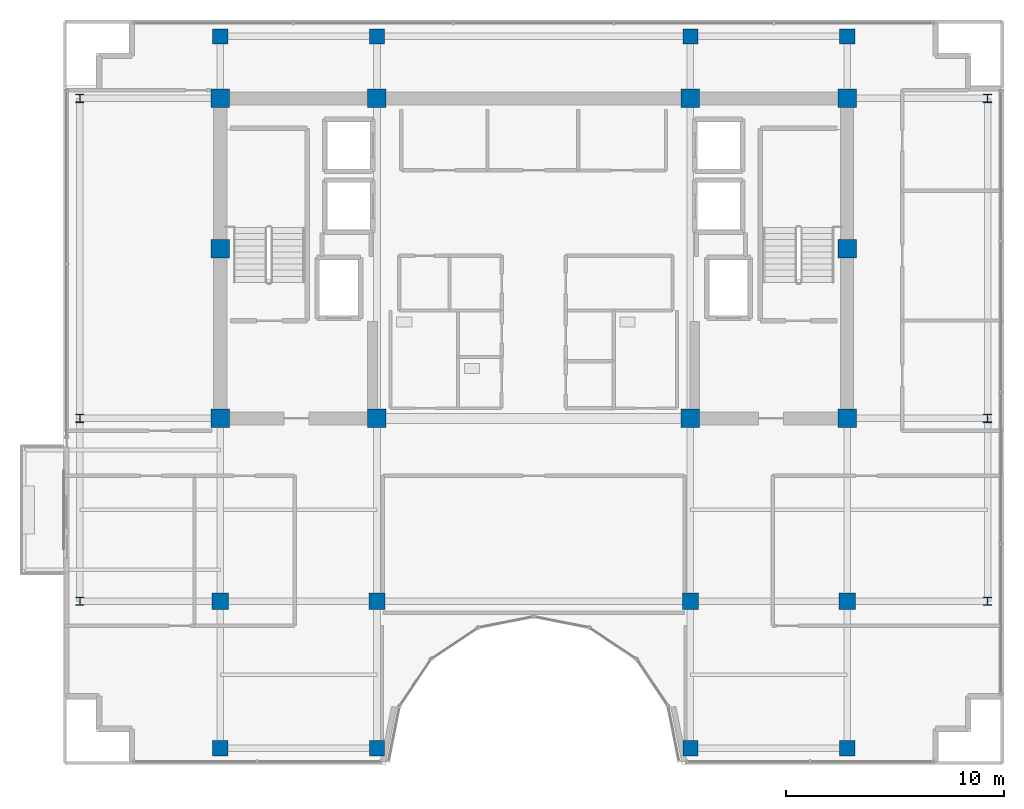
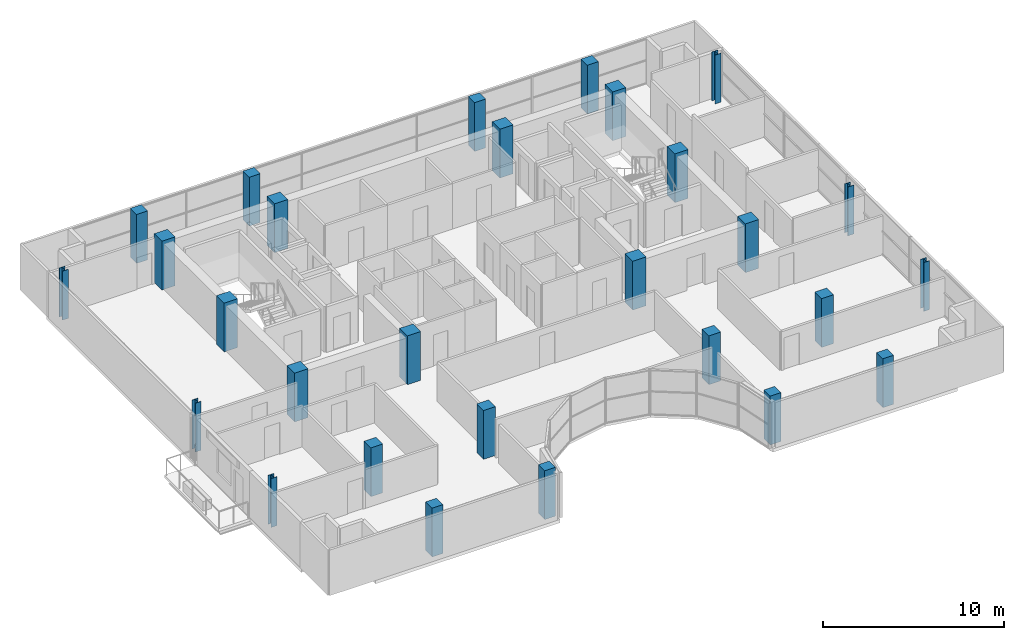
# One storey, part 1 of 28: 28 columns.
"""IFC4 building model written with IfcOpenShell, lengths in metres."""

from ifc_helpers import new_model, si_unit, direction, frame, origin, origin_2d, place, context, subcontext, project, spatial, rectangle, i_section, extrude, material, material_profile, profile_set, type_object, element, save


model = new_model("IFC4")

# Units and contexts
model_context = context("Model", 3, precision=1e-05, world=origin(), true_north=direction((0.0, 1.0)))
body_context = subcontext(model_context, "Body", "Model", "MODEL_VIEW")
ifc_project = project(units=[si_unit("LENGTHUNIT", "METRE"), si_unit("AREAUNIT", "SQUARE_METRE"), si_unit("VOLUMEUNIT", "CUBIC_METRE"), si_unit("PLANEANGLEUNIT", "RADIAN"), si_unit("MASSUNIT", "GRAM", prefix="KILO")], contexts=[model_context])

# Site, building, storey
site_placement = place(None, origin())
site = spatial("IfcSite", under=ifc_project, at=site_placement, CompositionType="ELEMENT")
building_placement = place(site_placement, origin())
building = spatial("IfcBuilding", under=site, at=building_placement, Name="Zarnakvel Exchange Tower", CompositionType="ELEMENT")
storey_placement = place(building_placement, frame((0.0, 0.0, 261.699951171875)))
storey = spatial("IfcBuildingStorey", under=building, at=storey_placement, Name="L74", CompositionType="ELEMENT", Elevation=261.699951171875)

# Columns
ifc_material_1 = material(Name="Concrete C50/60", Category="concrete")
ifc_material_profile_1 = material_profile(ifc_material_1, rectangle(XDim=0.85009765625, YDim=0.85009765625, at=origin_2d()))
ifc_profile_set_1 = profile_set([ifc_material_profile_1], Name="Concrete C50/60")
column_type_1 = type_object("IfcColumnType", Name="CC-03", PredefinedType="COLUMN", material=ifc_profile_set_1)
for number, where, z_axis, x_axis, name in (
    (1, (-14.39990234375, -1.199951171875, 0.0), (0.0, 0.0, 1.0), (1.0, 0.0, 0.0), "L74 Column C-4D (CC-03)"),
    (2, (-7.199951171875, -1.199951171875, 0.0), (0.0, 0.0, 1.0), (1.0, 0.0, 0.0), "L74 Column C-5D (CC-03)"),
    (3, (7.199951171875, -1.199951171875, 0.0), (0.0, 0.0, 1.0), (1.0, 0.0, 0.0), "L74 Column C-8D (CC-03)"),
    (4, (14.39990234375, -1.199951171875, 0.0), (0.0, 0.0, 1.0), (1.0, 0.0, 0.0), "L74 Column C-9D (CC-03)"),
    (5, (-14.39990234375, 6.60009765625, 0.0), (0.0, 0.0, 1.0), (1.0, 0.0, 0.0), "L74 Column C-4E (CC-03)"),
    (6, (14.39990234375, 6.60009765625, 0.0), (0.0, 0.0, 1.0), (1.0, 0.0, 0.0), "L74 Column C-9E (CC-03)"),
    (7, (-14.39990234375, 13.5, 0.0), (0.0, 0.0, 1.0), (1.0, 0.0, 0.0), "L74 Column C-4F (CC-03)"),
    (8, (-7.199951171875, 13.5, 0.0), (0.0, 0.0, 1.0), (1.0, 0.0, 0.0), "L74 Column C-5F (CC-03)"),
    (9, (7.199951171875, 13.5, 0.0), (0.0, 0.0, 1.0), (1.0, 0.0, 0.0), "L74 Column C-8F (CC-03)"),
    (10, (14.39990234375, 13.5, 0.0), (0.0, 0.0, 1.0), (1.0, 0.0, 0.0), "L74 Column C-9F (CC-03)"),
):
    element("IfcColumn", number, at=place(storey_placement, frame(where, z_axis=z_axis, x_axis=x_axis)), inside=storey, type_object=column_type_1, Name=name, PredefinedType="COLUMN", context=body_context, shape_type="SweptSolid", body=[
        extrude(rectangle(XDim=0.85009765625, YDim=0.85009765625, at=origin_2d()), origin(), (0.0, 0.0, 1.0), 3.300048828125),
    ])
ifc_material_2 = material(Name="Steel S355", Category="steel")
ifc_material_profile_2 = material_profile(ifc_material_2, i_section(OverallWidth=0.374755859375, OverallDepth=0.37451171875, WebThickness=0.0166015625, FlangeThickness=0.027099609375, FilletRadius=0.01513671875, at=origin_2d()))
ifc_profile_set_2 = profile_set([ifc_material_profile_2], Name="Steel S355")
column_type_2 = type_object("IfcColumnType", Name="SC-05", PredefinedType="COLUMN", material=ifc_profile_set_2)
for number, where, z_axis, x_axis, name in (
    (11, (-20.85009765625, -9.60009765625, 0.0), (0.0, 0.0, 1.0), (1.0, 0.0, 0.0), "L74 Column TW-C (SC-05)"),
    (12, (20.85009765625, -9.60009765625, 0.0), (0.0, 0.0, 1.0), (1.0, 0.0, 0.0), "L74 Column TE-C (SC-05)"),
    (13, (-20.85009765625, -1.199951171875, 0.0), (0.0, 0.0, 1.0), (1.0, 0.0, 0.0), "L74 Column TW-D (SC-05)"),
    (14, (20.85009765625, -1.199951171875, 0.0), (0.0, 0.0, 1.0), (1.0, 0.0, 0.0), "L74 Column TE-D (SC-05)"),
    (15, (-20.85009765625, 13.5, 0.0), (0.0, 0.0, 1.0), (1.0, 0.0, 0.0), "L74 Column TW-F (SC-05)"),
    (16, (20.85009765625, 13.5, 0.0), (0.0, 0.0, 1.0), (1.0, 0.0, 0.0), "L74 Column TE-F (SC-05)"),
):
    element("IfcColumn", number, at=place(storey_placement, frame(where, z_axis=z_axis, x_axis=x_axis)), inside=storey, type_object=column_type_2, Name=name, PredefinedType="COLUMN", context=body_context, shape_type="SweptSolid", body=[
        extrude(i_section(OverallWidth=0.374755859375, OverallDepth=0.37451171875, WebThickness=0.0166015625, FlangeThickness=0.027099609375, FilletRadius=0.01513671875, at=origin_2d()), origin(), (0.0, 0.0, 1.0), 3.300048828125),
    ])
ifc_material_profile_3 = material_profile(ifc_material_1, rectangle(XDim=0.75, YDim=0.75, at=origin_2d()))
ifc_profile_set_3 = profile_set([ifc_material_profile_3], Name="Concrete C50/60")
column_type_3 = type_object("IfcColumnType", Name="TC-04", PredefinedType="COLUMN", material=ifc_profile_set_3)
for number, where, z_axis, x_axis, name in (
    (17, (-14.39990234375, -9.60009765625, 0.0), (0.0, 0.0, 1.0), (1.0, 0.0, 0.0), "L74 Column T-4C (TC-04)"),
    (18, (-7.199951171875, -9.60009765625, 0.0), (0.0, 0.0, 1.0), (1.0, 0.0, 0.0), "L74 Column T-5C (TC-04)"),
    (19, (7.199951171875, -9.60009765625, 0.0), (0.0, 0.0, 1.0), (1.0, 0.0, 0.0), "L74 Column T-8C (TC-04)"),
    (20, (14.39990234375, -9.60009765625, 0.0), (0.0, 0.0, 1.0), (1.0, 0.0, 0.0), "L74 Column T-9C (TC-04)"),
):
    element("IfcColumn", number, at=place(storey_placement, frame(where, z_axis=z_axis, x_axis=x_axis)), inside=storey, type_object=column_type_3, Name=name, PredefinedType="COLUMN", context=body_context, shape_type="SweptSolid", body=[
        extrude(rectangle(XDim=0.75, YDim=0.75, at=origin_2d()), origin(), (0.0, 0.0, 1.0), 3.300048828125),
    ])
ifc_material_profile_4 = material_profile(ifc_material_1, rectangle(XDim=0.699951171875, YDim=0.699951171875, at=origin_2d()))
ifc_profile_set_4 = profile_set([ifc_material_profile_4], Name="Concrete C50/60")
column_type_4 = type_object("IfcColumnType", Name="TC-05", PredefinedType="COLUMN", material=ifc_profile_set_4)
for number, where, z_axis, x_axis, name in (
    (21, (-14.39990234375, -16.35009765625, 0.0), (0.0, 0.0, 1.0), (1.0, 0.0, 0.0), "L74 Column TS-4 (TC-05)"),
    (22, (-14.39990234375, 16.35009765625, 0.0), (0.0, 0.0, 1.0), (1.0, 0.0, 0.0), "L74 Column TN-4 (TC-05)"),
    (23, (-7.199951171875, -16.35009765625, 0.0), (0.0, 0.0, 1.0), (1.0, 0.0, 0.0), "L74 Column TS-5 (TC-05)"),
    (24, (-7.199951171875, 16.35009765625, 0.0), (0.0, 0.0, 1.0), (1.0, 0.0, 0.0), "L74 Column TN-5 (TC-05)"),
    (25, (7.199951171875, -16.35009765625, 0.0), (0.0, 0.0, 1.0), (1.0, 0.0, 0.0), "L74 Column TS-8 (TC-05)"),
    (26, (7.199951171875, 16.35009765625, 0.0), (0.0, 0.0, 1.0), (1.0, 0.0, 0.0), "L74 Column TN-8 (TC-05)"),
    (27, (14.39990234375, -16.35009765625, 0.0), (0.0, 0.0, 1.0), (1.0, 0.0, 0.0), "L74 Column TS-9 (TC-05)"),
    (28, (14.39990234375, 16.35009765625, 0.0), (0.0, 0.0, 1.0), (1.0, 0.0, 0.0), "L74 Column TN-9 (TC-05)"),
):
    element("IfcColumn", number, at=place(storey_placement, frame(where, z_axis=z_axis, x_axis=x_axis)), inside=storey, type_object=column_type_4, Name=name, PredefinedType="COLUMN", context=body_context, shape_type="SweptSolid", body=[
        extrude(rectangle(XDim=0.699951171875, YDim=0.699951171875, at=origin_2d()), origin(), (0.0, 0.0, 1.0), 3.300048828125),
    ])

save(model, "model.ifc")
